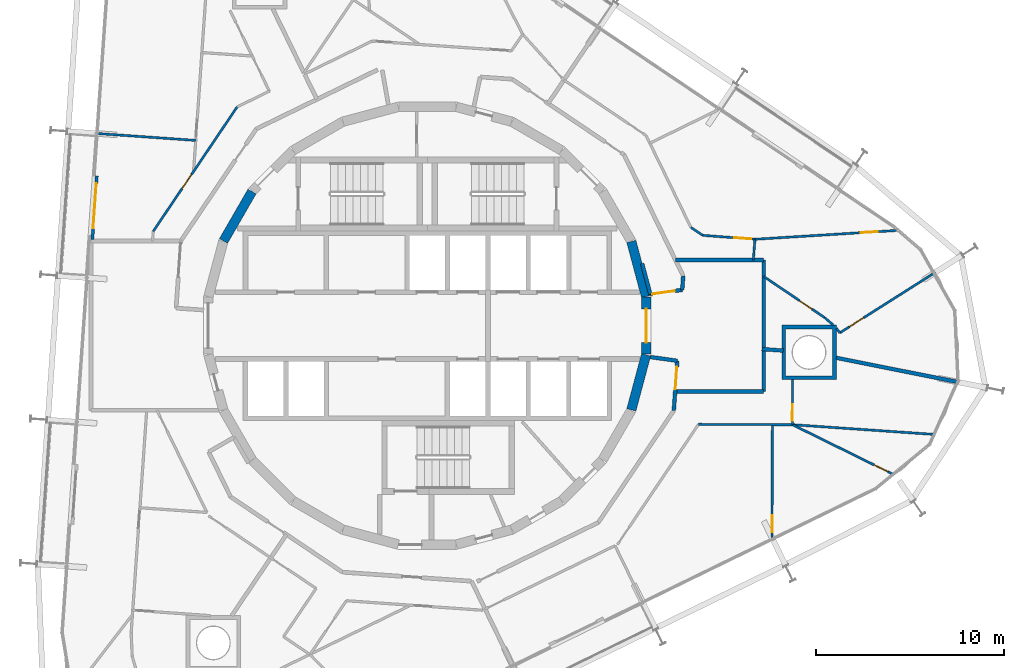
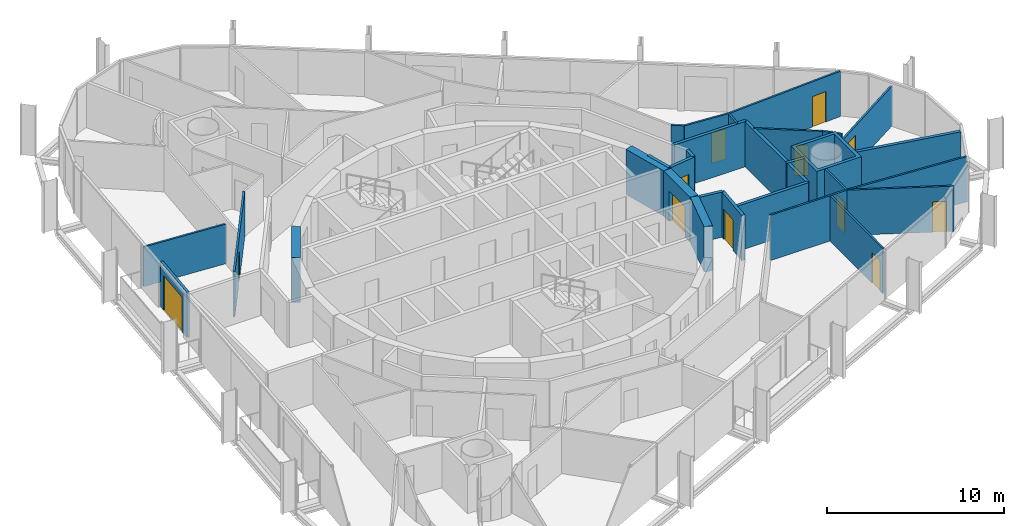
# One storey, part 14 of 17: 31 walls, 12 doors, 12 openings.
"""IFC4 building model written with IfcOpenShell, lengths in metres."""

from ifc_helpers import new_model, si_unit, direction, frame, frame_2d, origin, place, context, subcontext, project, spatial, polyline, rectangle, outline, extrude, material, layer, layer_set, type_object, element, fill, save


model = new_model("IFC4")

# Units and contexts
model_context = context("Model", 3, precision=1e-05, world=origin(), true_north=direction((0.0, 1.0)))
body_context = subcontext(model_context, "Body", "Model", "MODEL_VIEW")
ifc_project = project(units=[si_unit("LENGTHUNIT", "METRE"), si_unit("AREAUNIT", "SQUARE_METRE"), si_unit("VOLUMEUNIT", "CUBIC_METRE"), si_unit("PLANEANGLEUNIT", "RADIAN"), si_unit("MASSUNIT", "GRAM", prefix="KILO")], contexts=[model_context])

# Site, building, storey
site_placement = place(None, origin())
site = spatial("IfcSite", under=ifc_project, at=site_placement, CompositionType="ELEMENT")
building_placement = place(site_placement, origin())
building = spatial("IfcBuilding", under=site, at=building_placement, Name="Spindle Arch Residences", CompositionType="ELEMENT")
storey_placement = place(building_placement, frame((0.0, 0.0, 212.89990234375)))
storey = spatial("IfcBuildingStorey", under=building, at=storey_placement, Name="L54", CompositionType="ELEMENT", Elevation=212.89990234375)

# Wall
ifc_material_1 = material(Name="Concrete C50/60", Category="concrete")
ifc_layer_1 = layer(ifc_material_1, 0.5)
ifc_layer_set_1 = layer_set([ifc_layer_1], Name="Core outline wall 500")
wall_type_1 = type_object("IfcWallType", Name="Core outline wall 500", PredefinedType="SHEAR", material=ifc_layer_set_1)
wall_1_placement = place(storey_placement, frame((10.858154296875, -4.479248046875, 0.0), z_axis=(0.0, 0.0, 1.0), x_axis=(0.258734743916, 0.965948410781, 0.0)))
element("IfcWall", 1, at=wall_1_placement, inside=storey, type_object=wall_type_1, Name="Core outline wall 5", PredefinedType="SHEAR", context=body_context, shape_type="SweptSolid", body=[
    extrude(rectangle(XDim=3.03271484375, YDim=0.5, at=frame_2d((1.516357421875, 0.0))), origin(), (0.0, 0.0, 1.0), 3.1201171875),
])

# Wall, opening, door
wall_2_placement = place(storey_placement, frame((11.647216796875, -1.516357421875, 0.0), z_axis=(0.0, 0.0, 1.0), x_axis=(0.0, 1.0, 0.0)))
wall_2 = element("IfcWall", 2, at=wall_2_placement, inside=storey, type_object=wall_type_1, Name="Core outline wall 6", PredefinedType="SHEAR", context=body_context, shape_type="SweptSolid", body=[
    extrude(rectangle(XDim=3.03271484375, YDim=0.5, at=frame_2d((1.516357421875, 0.0))), origin(), (0.0, 0.0, 1.0), 3.1201171875),
])
opening_1_placement = place(wall_2_placement, frame((0.6162109375, 0.0, 0.0)))
opening_1 = element("IfcOpeningElement", 3, at=opening_1_placement, cuts=wall_2, Name="Opening R5C1-FE01", PredefinedType="OPENING", context=body_context, shape_type="SweptSolid", body=[
    extrude(rectangle(XDim=1.800048828125, YDim=2.10009765625, at=frame_2d((0.89990234375, 1.050048828125))), frame((0.0, 0.260009765625, 0.0), z_axis=(0.0, -1.0, 0.0), x_axis=(1.0, 0.0, 0.0)), (0.0, 0.0, 1.0), 0.52001953125),
])
ifc_material_2 = material(Name="Steel, fire-resisting door", Category="steel")
door_type_1 = type_object("IfcDoorType", Name="Fire-lift lobby door 1800x2100", OperationType="DOUBLE_DOOR_SINGLE_SWING", PredefinedType="DOOR", material=ifc_material_2)
door_1_placement = place(opening_1_placement, origin())
door_1 = element("IfcDoor", 4, at=door_1_placement, inside=storey, type_object=door_type_1, Name="Fire-lift lobby door R5C1-FE01", OperationType="DOUBLE_DOOR_SINGLE_SWING", OverallHeight=2.10009765625, OverallWidth=1.800048828125, PredefinedType="DOOR", context=body_context, shape_type="SweptSolid", body=[
    extrude(rectangle(XDim=1.800048828125, YDim=2.10009765625, at=frame_2d((0.89990234375, 1.050048828125))), frame((0.0, 0.02490234375, 0.0), z_axis=(0.0, -1.0, 0.0), x_axis=(1.0, 0.0, 0.0)), (0.0, 0.0, 1.0), 0.050048828125),
])
fill(opening_1, door_1)

# Walls
for number, where, z_axis, x_axis, name in (
    (5, (11.642822265625, 1.5498046875, 0.0), (0.0, 0.0, 1.0), (-0.258734743916, 0.965948410781, 0.0), "Core outline wall 7"),
    (6, (-9.32861328125, 7.13671875, 0.0), (0.0, 0.0, 1.0), (-0.500087131594, -0.865975092491, 0.0), "Core outline wall 16"),
):
    element("IfcWall", number, at=place(storey_placement, frame(where, z_axis=z_axis, x_axis=x_axis)), inside=storey, type_object=wall_type_1, Name=name, PredefinedType="SHEAR", context=body_context, shape_type="SweptSolid", body=[
        extrude(rectangle(XDim=3.03271484375, YDim=0.5, at=frame_2d((1.516357421875, 0.0))), origin(), (0.0, 0.0, 1.0), 3.1201171875),
    ])
ifc_material_3 = material(Name="Calcium silicate block, plastered")
ifc_layer_2 = layer(ifc_material_3, 0.199951171875)
ifc_layer_set_2 = layer_set([ifc_layer_2], Name="Fire-lift lobby bay wall 200")
wall_type_2 = type_object("IfcWallType", Name="Fire-lift lobby bay wall 200", PredefinedType="STANDARD", material=ifc_layer_set_2)
wall_3_placement = place(storey_placement, frame((11.8701171875, 1.668212890625, 0.0), z_axis=(0.0, 0.0, 1.0), x_axis=(-0.258836880648, 0.965921047093, 0.0)))
element("IfcWall", 7, at=wall_3_placement, inside=storey, type_object=wall_type_2, Name="Fire-lift lobby bay wall R5C1-W001", PredefinedType="STANDARD", context=body_context, shape_type="SweptSolid", body=[
    extrude(rectangle(XDim=1.695068359375, YDim=0.199951171875, at=frame_2d((0.84765625, 0.0))), origin(), (0.0, 0.0, 1.0), 3.1201171875),
])

# Wall, opening, door
wall_4_placement = place(storey_placement, frame((11.8701171875, 1.668212890625, 0.0), z_axis=(0.0, 0.0, 1.0), x_axis=(0.990271931984, 0.139145609792, 0.0)))
wall_4 = element("IfcWall", 8, at=wall_4_placement, inside=storey, type_object=wall_type_2, Name="Fire-lift lobby bay wall R5C1-W002", PredefinedType="STANDARD", context=body_context, shape_type="SweptSolid", body=[
    extrude(rectangle(XDim=1.71240234375, YDim=0.199951171875, at=frame_2d((0.856201171875, 0.0))), origin(), (0.0, 0.0, 1.0), 3.1201171875),
])
opening_2_placement = place(wall_4_placement, frame((0.110107421875, 0.0, 0.0)))
opening_2 = element("IfcOpeningElement", 9, at=opening_2_placement, cuts=wall_4, Name="Opening R5C1-CD01", PredefinedType="OPENING", context=body_context, shape_type="SweptSolid", body=[
    extrude(rectangle(XDim=1.199951171875, YDim=2.10009765625, at=frame_2d((0.60009765625, 1.050048828125))), frame((0.0, 0.10986328125, 0.0), z_axis=(0.0, -1.0, 0.0), x_axis=(1.0, 0.0, 0.0)), (0.0, 0.0, 1.0), 0.219970703125),
])
ifc_material_4 = material(Name="Steel, fire-resisting door", Category="steel")
door_type_2 = type_object("IfcDoorType", Name="Corridor division door 1200x2100", OperationType="NOTDEFINED", PredefinedType="DOOR", material=ifc_material_4)
door_2_placement = place(opening_2_placement, origin())
door_2 = element("IfcDoor", 10, at=door_2_placement, inside=storey, type_object=door_type_2, Name="Corridor division door R5C1-CD01", OperationType="DOUBLE_DOOR_SINGLE_SWING", OverallHeight=2.10009765625, OverallWidth=1.199951171875, PredefinedType="DOOR", context=body_context, shape_type="SweptSolid", body=[
    extrude(rectangle(XDim=1.199951171875, YDim=2.10009765625, at=frame_2d((0.60009765625, 1.050048828125))), frame((0.0, 0.02490234375, 0.0), z_axis=(0.0, -1.0, 0.0), x_axis=(1.0, 0.0, 0.0)), (0.0, 0.0, 1.0), 0.050048828125),
])
fill(opening_2, door_2)

# Wall
wall_5_placement = place(storey_placement, frame((13.56591796875, 1.906494140625, 0.0), z_axis=(0.0, 0.0, 1.0), x_axis=(0.07005495793, 0.997543133338, 0.0)))
element("IfcWall", 11, at=wall_5_placement, inside=storey, type_object=wall_type_2, Name="Fire-lift lobby bay wall R5C1-W003", PredefinedType="STANDARD", context=body_context, shape_type="SweptSolid", body=[
    extrude(rectangle(XDim=0.7421875, YDim=0.199951171875, at=frame_2d((0.37109375, 0.0))), origin(), (0.0, 0.0, 1.0), 3.1201171875),
])

# Wall, opening, door
wall_6_placement = place(storey_placement, frame((13.116943359375, -4.5166015625, 0.0), z_axis=(0.0, 0.0, 1.0), x_axis=(0.069736659613, 0.997565435601, 0.0)))
wall_6 = element("IfcWall", 12, at=wall_6_placement, inside=storey, type_object=wall_type_2, Name="Fire-lift lobby bay wall R5C1-W013", PredefinedType="STANDARD", context=body_context, shape_type="SweptSolid", body=[
    extrude(rectangle(XDim=2.653564453125, YDim=0.199951171875, at=frame_2d((1.32666015625, 0.0))), origin(), (0.0, 0.0, 1.0), 3.1201171875),
])
opening_3_placement = place(wall_6_placement, frame((1.134033203125, 0.0, 0.0)))
opening_3 = element("IfcOpeningElement", 13, at=opening_3_placement, cuts=wall_6, Name="Opening R5C1-CD02", PredefinedType="OPENING", context=body_context, shape_type="SweptSolid", body=[
    extrude(rectangle(XDim=1.199951171875, YDim=2.10009765625, at=frame_2d((0.60009765625, 1.050048828125))), frame((0.0, 0.10986328125, 0.0), z_axis=(0.0, -1.0, 0.0), x_axis=(1.0, 0.0, 0.0)), (0.0, 0.0, 1.0), 0.219970703125),
])
door_3_placement = place(opening_3_placement, origin())
door_3 = element("IfcDoor", 14, at=door_3_placement, inside=storey, type_object=door_type_2, Name="Corridor division door R5C1-CD02", OperationType="DOUBLE_DOOR_SINGLE_SWING", OverallHeight=2.10009765625, OverallWidth=1.199951171875, PredefinedType="DOOR", context=body_context, shape_type="SweptSolid", body=[
    extrude(rectangle(XDim=1.199951171875, YDim=2.10009765625, at=frame_2d((0.60009765625, 1.050048828125))), frame((0.0, 0.02490234375, 0.0), z_axis=(0.0, -1.0, 0.0), x_axis=(1.0, 0.0, 0.0)), (0.0, 0.0, 1.0), 0.050048828125),
])
fill(opening_3, door_3)

# Walls
wall_7_placement = place(storey_placement, frame((13.302001953125, -1.869384765625, 0.0), z_axis=(0.0, 0.0, 1.0), x_axis=(-0.990274397042, 0.13912806533, 0.0)))
element("IfcWall", 15, at=wall_7_placement, inside=storey, type_object=wall_type_2, Name="Fire-lift lobby bay wall R5C1-W014", PredefinedType="STANDARD", context=body_context, shape_type="SweptSolid", body=[
    extrude(rectangle(XDim=1.446044921875, YDim=0.199951171875, at=frame_2d((0.72314453125, 0.0))), origin(), (0.0, 0.0, 1.0), 3.1201171875),
])
wall_8_placement = place(storey_placement, frame((17.89990234375, 3.5, 0.0), z_axis=(0.0, 0.0, 1.0), x_axis=(-1.0, 0.0, 0.0)))
element("IfcWall", 16, at=wall_8_placement, inside=storey, type_object=wall_type_2, Name="Fire-lift lobby bay wall R5C1-W025", PredefinedType="STANDARD", context=body_context, shape_type="SweptSolid", body=[
    extrude(rectangle(XDim=4.697998046875, YDim=0.199951171875, at=frame_2d((2.34912109375, 0.0))), origin(), (0.0, 0.0, 1.0), 3.1201171875),
])
wall_9_placement = place(storey_placement, frame((17.89990234375, -3.5, 0.0), z_axis=(0.0, 0.0, 1.0), x_axis=(0.0, 1.0, 0.0)))
element("IfcWall", 17, at=wall_9_placement, inside=storey, type_object=wall_type_2, Name="Fire-lift lobby bay wall R5C1-W026", PredefinedType="STANDARD", context=body_context, shape_type="SweptSolid", body=[
    extrude(rectangle(XDim=7.0, YDim=0.199951171875, at=frame_2d((3.5, 0.0))), origin(), (0.0, 0.0, 1.0), 3.1201171875),
])
wall_10_placement = place(storey_placement, frame((13.18798828125, -3.5, 0.0), z_axis=(0.0, 0.0, 1.0), x_axis=(1.0, 0.0, 0.0)))
element("IfcWall", 18, at=wall_10_placement, inside=storey, type_object=wall_type_2, Name="Fire-lift lobby bay wall R5C1-W027", PredefinedType="STANDARD", context=body_context, shape_type="SweptSolid", body=[
    extrude(rectangle(XDim=4.7119140625, YDim=0.199951171875, at=frame_2d((2.35595703125, 0.0))), origin(), (0.0, 0.0, 1.0), 3.1201171875),
])
ifc_material_5 = material(Name="Plasterboard on steel studs", Category="steel")
ifc_layer_3 = layer(ifc_material_5, 0.1201171875)
ifc_layer_set_3 = layer_set([ifc_layer_3], Name="Flat partition 120")
wall_type_3 = type_object("IfcWallType", Name="Flat partition 120", PredefinedType="PARTITIONING", material=ifc_layer_set_3)
wall_11_placement = place(storey_placement, frame((17.3505859375, 3.5, 0.0), z_axis=(0.0, 0.0, 1.0), x_axis=(0.075374124137, 0.997155324616, 0.0)))
element("IfcWall", 19, at=wall_11_placement, inside=storey, type_object=wall_type_3, Name="Flat partition R5C1-W038", PredefinedType="PARTITIONING", context=body_context, shape_type="SweptSolid", body=[
    extrude(rectangle(XDim=1.101318359375, YDim=0.1201171875, at=frame_2d((0.55078125, 0.0))), origin(), (0.0, 0.0, 1.0), 3.1201171875),
])

# Wall, opening, door
wall_12_placement = place(storey_placement, frame((17.43359375, 4.59814453125, 0.0), z_axis=(0.0, 0.0, 1.0), x_axis=(-0.997152077354, 0.075417071205, 0.0)))
wall_12 = element("IfcWall", 20, at=wall_12_placement, inside=storey, type_object=wall_type_3, Name="Flat partition R5C1-W039", PredefinedType="PARTITIONING", context=body_context, shape_type="SweptSolid", body=[
    extrude(rectangle(XDim=2.787353515625, YDim=0.1201171875, at=frame_2d((1.3935546875, 0.0))), origin(), (0.0, 0.0, 1.0), 3.1201171875),
])
opening_4_placement = place(wall_12_placement, frame((0.199951171875, 0.0, 0.0)))
opening_4 = element("IfcOpeningElement", 21, at=opening_4_placement, cuts=wall_12, Name="Opening R5C1-ID01", PredefinedType="OPENING", context=body_context, shape_type="SweptSolid", body=[
    extrude(rectangle(XDim=0.89990234375, YDim=2.10009765625, at=frame_2d((0.449951171875, 1.050048828125))), frame((0.0, 0.070068359375, 0.0), z_axis=(0.0, -1.0, 0.0), x_axis=(1.0, 0.0, 0.0)), (0.0, 0.0, 1.0), 0.14013671875),
])
ifc_material_6 = material(Name="Timber door set", Category="wood")
door_type_3 = type_object("IfcDoorType", Name="Room door 900x2100", OperationType="NOTDEFINED", PredefinedType="DOOR", material=ifc_material_6)
door_4_placement = place(opening_4_placement, origin())
door_4 = element("IfcDoor", 22, at=door_4_placement, inside=storey, type_object=door_type_3, Name="Room door R5C1-ID01", OperationType="SINGLE_SWING_LEFT", OverallHeight=2.10009765625, OverallWidth=0.89990234375, PredefinedType="DOOR", context=body_context, shape_type="SweptSolid", body=[
    extrude(rectangle(XDim=0.89990234375, YDim=2.10009765625, at=frame_2d((0.449951171875, 1.050048828125))), frame((0.0, 0.02490234375, 0.0), z_axis=(0.0, -1.0, 0.0), x_axis=(1.0, 0.0, 0.0)), (0.0, 0.0, 1.0), 0.050048828125),
])
fill(opening_4, door_4)

# Walls
wall_13_placement = place(storey_placement, frame((14.654296875, 4.808349609375, 0.0), z_axis=(0.0, 0.0, 1.0), x_axis=(-0.829065184024, 0.559151965604, 0.0)))
element("IfcWall", 23, at=wall_13_placement, inside=storey, type_object=wall_type_3, Name="Flat partition R5C1-W040", PredefinedType="PARTITIONING", context=body_context, shape_type="SweptSolid", body=[
    extrude(rectangle(XDim=0.758056640625, YDim=0.1201171875, at=frame_2d((0.37890625, 0.0))), origin(), (0.0, 0.0, 1.0), 3.1201171875),
])
wall_14_placement = place(storey_placement, frame((21.610107421875, 0.02978515625, 0.0), z_axis=(0.0, 0.0, 1.0), x_axis=(-0.758532196215, 0.651635563259, 0.0)))
element("IfcWall", 24, at=wall_14_placement, inside=storey, type_object=wall_type_3, Name="Flat partition R5C1-W043", PredefinedType="PARTITIONING", context=body_context, shape_type="SweptSolid", body=[
    extrude(rectangle(XDim=0.618896484375, YDim=0.1201171875, at=frame_2d((0.3095703125, 0.0))), origin(), (0.0, 0.0, 1.0), 3.1201171875),
])

# Wall, opening, door
wall_15_placement = place(storey_placement, frame((21.140625, 0.43310546875, 0.0), z_axis=(0.0, 0.0, 1.0), x_axis=(-0.829049908454, 0.559174614313, 0.0)))
wall_15 = element("IfcWall", 25, at=wall_15_placement, inside=storey, type_object=wall_type_3, Name="Flat partition R5C1-W044", PredefinedType="PARTITIONING", context=body_context, shape_type="SweptSolid", body=[
    extrude(rectangle(XDim=3.908935546875, YDim=0.1201171875, at=frame_2d((1.95458984375, 0.0))), origin(), (0.0, 0.0, 1.0), 3.1201171875),
])
opening_5_placement = place(wall_15_placement, frame((0.800048828125, 0.0, 0.0)))
opening_5 = element("IfcOpeningElement", 26, at=opening_5_placement, cuts=wall_15, Name="Opening R5C1-BD01", PredefinedType="OPENING", context=body_context, shape_type="SweptSolid", body=[
    extrude(rectangle(XDim=0.800048828125, YDim=2.10009765625, at=frame_2d((0.39990234375, 1.050048828125))), frame((0.0, 0.070068359375, 0.0), z_axis=(0.0, -1.0, 0.0), x_axis=(1.0, 0.0, 0.0)), (0.0, 0.0, 1.0), 0.14013671875),
])
ifc_material_7 = material(Name="Timber door set", Category="wood")
door_type_4 = type_object("IfcDoorType", Name="Bathroom door 800x2100", OperationType="NOTDEFINED", PredefinedType="DOOR", material=ifc_material_7)
door_5_placement = place(opening_5_placement, origin())
door_5 = element("IfcDoor", 27, at=door_5_placement, inside=storey, type_object=door_type_4, Name="Bathroom door R5C1-BD01", OperationType="SINGLE_SWING_RIGHT", OverallHeight=2.10009765625, OverallWidth=0.800048828125, PredefinedType="DOOR", context=body_context, shape_type="SweptSolid", body=[
    extrude(rectangle(XDim=0.800048828125, YDim=2.10009765625, at=frame_2d((0.39990234375, 1.050048828125))), frame((0.0, 0.02490234375, 0.0), z_axis=(0.0, -1.0, 0.0), x_axis=(1.0, 0.0, 0.0)), (0.0, 0.0, 1.0), 0.050048828125),
])
fill(opening_5, door_5)

wall_16_placement = place(storey_placement, frame((24.9560546875, 5.0654296875, 0.0), z_axis=(0.0, 0.0, 1.0), x_axis=(-0.998076202118, -0.061999151332, 0.0)))
wall_16 = element("IfcWall", 28, at=wall_16_placement, inside=storey, type_object=wall_type_3, Name="Flat partition R5C1-W045", PredefinedType="PARTITIONING", context=body_context, shape_type="SweptSolid", body=[
    extrude(rectangle(XDim=7.536865234375, YDim=0.1201171875, at=frame_2d((3.7685546875, 0.0))), origin(), (0.0, 0.0, 1.0), 3.1201171875),
])
opening_6_placement = place(wall_16_placement, frame((1.0, 0.0, 0.0)))
opening_6 = element("IfcOpeningElement", 29, at=opening_6_placement, cuts=wall_16, Name="Opening R5C1-ID03", PredefinedType="OPENING", context=body_context, shape_type="SweptSolid", body=[
    extrude(rectangle(XDim=0.89990234375, YDim=2.10009765625, at=frame_2d((0.449951171875, 1.050048828125))), frame((0.0, 0.070068359375, 0.0), z_axis=(0.0, -1.0, 0.0), x_axis=(1.0, 0.0, 0.0)), (0.0, 0.0, 1.0), 0.14013671875),
])
door_6_placement = place(opening_6_placement, origin())
door_6 = element("IfcDoor", 30, at=door_6_placement, inside=storey, type_object=door_type_3, Name="Room door R5C1-ID03", OperationType="SINGLE_SWING_LEFT", OverallHeight=2.10009765625, OverallWidth=0.89990234375, PredefinedType="DOOR", context=body_context, shape_type="SweptSolid", body=[
    extrude(rectangle(XDim=0.89990234375, YDim=2.10009765625, at=frame_2d((0.449951171875, 1.050048828125))), frame((0.0, 0.02490234375, 0.0), z_axis=(0.0, -1.0, 0.0), x_axis=(1.0, 0.0, 0.0)), (0.0, 0.0, 1.0), 0.050048828125),
])
fill(opening_6, door_6)

# Wall
wall_17_placement = place(storey_placement, frame((21.77197265625, -0.13623046875, 0.0), z_axis=(0.0, 0.0, 1.0), x_axis=(0.587310294779, -0.809361858285, 0.0)))
element("IfcWall", 31, at=wall_17_placement, inside=storey, type_object=wall_type_3, Name="Flat partition R5C1-W046", PredefinedType="PARTITIONING", context=body_context, shape_type="SweptSolid", body=[
    extrude(rectangle(XDim=0.303466796875, YDim=0.1201171875, at=frame_2d((0.15185546875, 0.0))), origin(), (0.0, 0.0, 1.0), 3.1201171875),
])

# Wall, opening, door
wall_18_placement = place(storey_placement, frame((-10.1201171875, 11.641845703125, 0.0), z_axis=(0.0, 0.0, 1.0), x_axis=(-0.55920080659, -0.829032241779, 0.0)))
wall_18 = element("IfcWall", 32, at=wall_18_placement, inside=storey, type_object=wall_type_3, Name="Flat partition R5C1-W060", PredefinedType="PARTITIONING", context=body_context, shape_type="SweptSolid", body=[
    extrude(rectangle(XDim=7.98486328125, YDim=0.1201171875, at=frame_2d((3.992431640625, 0.0))), origin(), (0.0, 0.0, 1.0), 3.1201171875),
])
opening_7_placement = place(wall_18_placement, frame((4.346435546875, 0.0, 0.0)))
opening_7 = element("IfcOpeningElement", 33, at=opening_7_placement, cuts=wall_18, Name="Opening R5C1-ID11", PredefinedType="OPENING", context=body_context, shape_type="SweptSolid", body=[
    extrude(rectangle(XDim=0.89990234375, YDim=2.10009765625, at=frame_2d((0.449951171875, 1.050048828125))), frame((0.0, 0.070068359375, 0.0), z_axis=(0.0, -1.0, 0.0), x_axis=(1.0, 0.0, 0.0)), (0.0, 0.0, 1.0), 0.14013671875),
])
door_7_placement = place(opening_7_placement, origin())
door_7 = element("IfcDoor", 34, at=door_7_placement, inside=storey, type_object=door_type_3, Name="Room door R5C1-ID11", OperationType="SINGLE_SWING_LEFT", OverallHeight=2.10009765625, OverallWidth=0.89990234375, PredefinedType="DOOR", context=body_context, shape_type="SweptSolid", body=[
    extrude(rectangle(XDim=0.89990234375, YDim=2.10009765625, at=frame_2d((0.449951171875, 1.050048828125))), frame((0.0, 0.02490234375, 0.0), z_axis=(0.0, -1.0, 0.0), x_axis=(1.0, 0.0, 0.0)), (0.0, 0.0, 1.0), 0.050048828125),
])
fill(opening_7, door_7)

# Wall
wall_19_placement = place(storey_placement, frame((14.430908203125, -5.2509765625, 0.0), z_axis=(0.0, 0.0, 1.0), x_axis=(0.999994153659, -0.003419451456, 0.0)))
element("IfcWall", 35, at=wall_19_placement, inside=storey, type_object=wall_type_3, Name="Flat partition R5C1-W095", PredefinedType="PARTITIONING", context=body_context, shape_type="SweptSolid", body=[
    extrude(rectangle(XDim=4.997802734375, YDim=0.1201171875, at=frame_2d((2.4990234375, 0.0))), origin(), (0.0, 0.0, 1.0), 3.1201171875),
])

# Wall, opening, door
wall_20_placement = place(storey_placement, frame((19.4287109375, -5.26806640625, 0.0), z_axis=(0.0, 0.0, 1.0), x_axis=(0.003360127656, 0.999994354755, 0.0)))
wall_20 = element("IfcWall", 36, at=wall_20_placement, inside=storey, type_object=wall_type_3, Name="Flat partition R5C1-W096", PredefinedType="PARTITIONING", context=body_context, shape_type="SweptSolid", body=[
    extrude(rectangle(XDim=2.397705078125, YDim=0.1201171875, at=frame_2d((1.19873046875, 0.0))), origin(), (0.0, 0.0, 1.0), 3.1201171875),
])
opening_8_placement = place(wall_20_placement, frame((0.199951171875, 0.0, 0.0)))
opening_8 = element("IfcOpeningElement", 37, at=opening_8_placement, cuts=wall_20, Name="Opening R5C1-ID24", PredefinedType="OPENING", context=body_context, shape_type="SweptSolid", body=[
    extrude(rectangle(XDim=0.89990234375, YDim=2.10009765625, at=frame_2d((0.449951171875, 1.050048828125))), frame((0.0, 0.070068359375, 0.0), z_axis=(0.0, -1.0, 0.0), x_axis=(1.0, 0.0, 0.0)), (0.0, 0.0, 1.0), 0.14013671875),
])
door_8_placement = place(opening_8_placement, origin())
door_8 = element("IfcDoor", 38, at=door_8_placement, inside=storey, type_object=door_type_3, Name="Room door R5C1-ID24", OperationType="SINGLE_SWING_RIGHT", OverallHeight=2.10009765625, OverallWidth=0.89990234375, PredefinedType="DOOR", context=body_context, shape_type="SweptSolid", body=[
    extrude(rectangle(XDim=0.89990234375, YDim=2.10009765625, at=frame_2d((0.449951171875, 1.050048828125))), frame((0.0, 0.02490234375, 0.0), z_axis=(0.0, -1.0, 0.0), x_axis=(1.0, 0.0, 0.0)), (0.0, 0.0, 1.0), 0.050048828125),
])
fill(opening_8, door_8)

wall_21_placement = place(storey_placement, frame((18.342529296875, -11.28173828125, 0.0), z_axis=(0.0, 0.0, 1.0), x_axis=(0.003448675073, 0.999994053302, 0.0)))
wall_21 = element("IfcWall", 39, at=wall_21_placement, inside=storey, type_object=wall_type_3, Name="Flat partition R5C1-W098", PredefinedType="PARTITIONING", context=body_context, shape_type="SweptSolid", body=[
    extrude(rectangle(XDim=6.017333984375, YDim=0.1201171875, at=frame_2d((3.0087890625, 0.0))), origin(), (0.0, 0.0, 1.0), 3.1201171875),
])
opening_9_placement = place(wall_21_placement, frame((0.300048828125, 0.0, 0.0)))
opening_9 = element("IfcOpeningElement", 40, at=opening_9_placement, cuts=wall_21, Name="Opening R5C1-ID25", PredefinedType="OPENING", context=body_context, shape_type="SweptSolid", body=[
    extrude(rectangle(XDim=0.89990234375, YDim=2.10009765625, at=frame_2d((0.449951171875, 1.050048828125))), frame((0.0, 0.070068359375, 0.0), z_axis=(0.0, -1.0, 0.0), x_axis=(1.0, 0.0, 0.0)), (0.0, 0.0, 1.0), 0.14013671875),
])
door_9_placement = place(opening_9_placement, origin())
door_9 = element("IfcDoor", 41, at=door_9_placement, inside=storey, type_object=door_type_3, Name="Room door R5C1-ID25", OperationType="SINGLE_SWING_RIGHT", OverallHeight=2.10009765625, OverallWidth=0.89990234375, PredefinedType="DOOR", context=body_context, shape_type="SweptSolid", body=[
    extrude(rectangle(XDim=0.89990234375, YDim=2.10009765625, at=frame_2d((0.449951171875, 1.050048828125))), frame((0.0, 0.02490234375, 0.0), z_axis=(0.0, -1.0, 0.0), x_axis=(1.0, 0.0, 0.0)), (0.0, 0.0, 1.0), 0.050048828125),
])
fill(opening_9, door_9)

wall_22_placement = place(storey_placement, frame((24.860595703125, -7.94287109375, 0.0), z_axis=(0.0, 0.0, 1.0), x_axis=(-0.897128390861, 0.441769906525, 0.0)))
wall_22 = element("IfcWall", 42, at=wall_22_placement, inside=storey, type_object=wall_type_3, Name="Flat partition R5C1-W099", PredefinedType="PARTITIONING", context=body_context, shape_type="SweptSolid", body=[
    extrude(rectangle(XDim=6.0546875, YDim=0.1201171875, at=frame_2d((3.02734375, 0.0))), origin(), (0.0, 0.0, 1.0), 3.1201171875),
])
opening_10_placement = place(wall_22_placement, frame((0.39990234375, 0.0, 0.0)))
opening_10 = element("IfcOpeningElement", 43, at=opening_10_placement, cuts=wall_22, Name="Opening R5C1-BD06", PredefinedType="OPENING", context=body_context, shape_type="SweptSolid", body=[
    extrude(rectangle(XDim=0.800048828125, YDim=2.10009765625, at=frame_2d((0.39990234375, 1.050048828125))), frame((0.0, 0.070068359375, 0.0), z_axis=(0.0, -1.0, 0.0), x_axis=(1.0, 0.0, 0.0)), (0.0, 0.0, 1.0), 0.14013671875),
])
door_10_placement = place(opening_10_placement, origin())
door_10 = element("IfcDoor", 44, at=door_10_placement, inside=storey, type_object=door_type_4, Name="Bathroom door R5C1-BD06", OperationType="SINGLE_SWING_RIGHT", OverallHeight=2.10009765625, OverallWidth=0.800048828125, PredefinedType="DOOR", context=body_context, shape_type="SweptSolid", body=[
    extrude(rectangle(XDim=0.800048828125, YDim=2.10009765625, at=frame_2d((0.39990234375, 1.050048828125))), frame((0.0, 0.02490234375, 0.0), z_axis=(0.0, -1.0, 0.0), x_axis=(1.0, 0.0, 0.0)), (0.0, 0.0, 1.0), 0.050048828125),
])
fill(opening_10, door_10)

# Wall
wall_23_placement = place(storey_placement, frame((26.96142578125, -5.78515625, 0.0), z_axis=(0.0, 0.0, 1.0), x_axis=(-0.997652165985, 0.068484711466, 0.0)))
element("IfcWall", 45, at=wall_23_placement, inside=storey, type_object=wall_type_3, Name="Flat partition R5C1-W100", PredefinedType="PARTITIONING", context=body_context, shape_type="SweptSolid", body=[
    extrude(rectangle(XDim=7.550537109375, YDim=0.1201171875, at=frame_2d((3.775390625, 0.0))), origin(), (0.0, 0.0, 1.0), 3.1201171875),
])

# Wall, opening, door
ifc_material_8 = material(Name="Plasterboard on steel studs", Category="steel")
ifc_layer_4 = layer(ifc_material_8, 0.1201171875)
ifc_layer_set_4 = layer_set([ifc_layer_4], Name="Flat partition 120 under beam 2730")
wall_type_4 = type_object("IfcWallType", Name="Flat partition 120 under beam 2730", PredefinedType="PARTITIONING", material=ifc_layer_set_4)
wall_24_placement = place(storey_placement, frame((21.9501953125, -0.3818359375, 0.0), z_axis=(0.0, 0.0, 1.0), x_axis=(0.844596663126, 0.535403097336, 0.0)))
wall_24 = element("IfcWall", 46, at=wall_24_placement, inside=storey, type_object=wall_type_4, Name="Flat partition R5C1-W047", PredefinedType="PARTITIONING", context=body_context, shape_type="SweptSolid", body=[
    extrude(rectangle(XDim=6.022216796875, YDim=0.1201171875, at=frame_2d((3.01123046875, 0.0))), origin(), (0.0, 0.0, 1.0), 2.72998046875),
])
opening_11_placement = place(wall_24_placement, frame((0.60009765625, 0.0, 0.0)))
opening_11 = element("IfcOpeningElement", 47, at=opening_11_placement, cuts=wall_24, Name="Opening R5C1-ID04", PredefinedType="OPENING", context=body_context, shape_type="SweptSolid", body=[
    extrude(rectangle(XDim=0.89990234375, YDim=2.10009765625, at=frame_2d((0.449951171875, 1.050048828125))), frame((0.0, 0.070068359375, 0.0), z_axis=(0.0, -1.0, 0.0), x_axis=(1.0, 0.0, 0.0)), (0.0, 0.0, 1.0), 0.14013671875),
])
door_11_placement = place(opening_11_placement, origin())
door_11 = element("IfcDoor", 48, at=door_11_placement, inside=storey, type_object=door_type_3, Name="Room door R5C1-ID04", OperationType="SINGLE_SWING_LEFT", OverallHeight=2.10009765625, OverallWidth=0.89990234375, PredefinedType="DOOR", context=body_context, shape_type="SweptSolid", body=[
    extrude(rectangle(XDim=0.89990234375, YDim=2.10009765625, at=frame_2d((0.449951171875, 1.050048828125))), frame((0.0, 0.02490234375, 0.0), z_axis=(0.0, -1.0, 0.0), x_axis=(1.0, 0.0, 0.0)), (0.0, 0.0, 1.0), 0.050048828125),
])
fill(opening_11, door_11)

# Walls
wall_25_placement = place(storey_placement, frame((-17.51025390625, 10.222412109375, 0.0), z_axis=(0.0, 0.0, 1.0), x_axis=(0.997563184303, -0.069768856397, 0.0)))
element("IfcWall", 49, at=wall_25_placement, inside=storey, type_object=wall_type_4, Name="Flat partition R5C1-W070", PredefinedType="PARTITIONING", context=body_context, shape_type="SweptSolid", body=[
    extrude(rectangle(XDim=5.199951171875, YDim=0.1201171875, at=frame_2d((2.60009765625, 0.0))), origin(), (0.0, 0.0, 1.0), 2.72998046875),
])
ifc_material_9 = material(Name="Calcium silicate block, plastered")
ifc_layer_5 = layer(ifc_material_9, 0.199951171875)
ifc_layer_set_5 = layer_set([ifc_layer_5], Name="Flat party wall 200")
wall_type_5 = type_object("IfcWallType", Name="Flat party wall 200", PredefinedType="STANDARD", material=ifc_layer_set_5)
wall_26_placement = place(storey_placement, frame((17.80029296875, -1.24560546875, 0.0), z_axis=(0.0, 0.0, 1.0), x_axis=(0.997562681713, -0.069776042122, 0.0)))
element("IfcWall", 50, at=wall_26_placement, inside=storey, type_object=wall_type_5, Name="Flat party wall R5C1-W029", PredefinedType="STANDARD", context=body_context, shape_type="SweptSolid", body=[
    extrude(rectangle(XDim=1.14404296875, YDim=0.199951171875, at=frame_2d((0.572021484375, 0.0))), origin(), (0.0, 0.0, 1.0), 3.1201171875),
])
ifc_material_10 = material(Name="Calcium silicate block, plastered")
ifc_layer_6 = layer(ifc_material_10, 0.199951171875)
ifc_layer_set_6 = layer_set([ifc_layer_6], Name="Flat party wall 200 under beam 2730")
wall_type_6 = type_object("IfcWallType", Name="Flat party wall 200 under beam 2730", PredefinedType="STANDARD", material=ifc_layer_set_6)
wall_27_placement = place(storey_placement, frame((21.761962890625, -1.70947265625, 0.0), z_axis=(0.0, 0.0, 1.0), x_axis=(0.980707365343, -0.195481619501, 0.0)))
element("IfcWall", 51, at=wall_27_placement, inside=storey, type_object=wall_type_6, Name="Flat party wall R5C1-W030", PredefinedType="STANDARD", context=body_context, shape_type="SweptSolid", body=[
    extrude(rectangle(XDim=6.511962890625, YDim=0.199951171875, at=frame_2d((3.255859375, 0.0))), origin(), (0.0, 0.0, 1.0), 2.72998046875),
])

# Wall, opening, door
ifc_material_11 = material(Name="Non-combustible mineral wool insulated aluminium faced external wall (K0)", Category="aluminium")
ifc_layer_7 = layer(ifc_material_11, 0.159912109375)
ifc_layer_set_7 = layer_set([ifc_layer_7], Name="Insulated external wall panel 160")
wall_type_7 = type_object("IfcWallType", Name="Insulated external wall panel 160", PredefinedType="STANDARD", material=ifc_layer_set_7)
wall_28_placement = place(storey_placement, frame((-17.587158203125, 7.975341796875, 0.0), z_axis=(0.0, 0.0, 1.0), x_axis=(-0.069813354682, -0.997560071128, 0.0)))
wall_28 = element("IfcWall", 52, at=wall_28_placement, inside=storey, type_object=wall_type_7, Name="External wall L54 bay 14", PredefinedType="STANDARD", context=body_context, shape_type="SweptSolid", body=[
    extrude(rectangle(XDim=3.388671875, YDim=0.159912109375, at=frame_2d((1.6943359375, 0.0))), origin(), (0.0, 0.0, 1.0), 3.1201171875),
])
opening_12_placement = place(wall_28_placement, frame((0.39990234375, 0.0, 0.0)))
opening_12 = element("IfcOpeningElement", 53, at=opening_12_placement, cuts=wall_28, Name="Opening BD14", PredefinedType="OPENING", context=body_context, shape_type="SweptSolid", body=[
    extrude(rectangle(XDim=2.39990234375, YDim=2.39990234375, at=frame_2d((1.199951171875, 1.199951171875))), frame((0.0, 0.08984375, 0.0), z_axis=(0.0, -1.0, 0.0), x_axis=(1.0, 0.0, 0.0)), (0.0, 0.0, 1.0), 0.179931640625),
])
ifc_material_12 = material(Name="Bronze aluminium frame, tinted double glazing", Category="aluminium")
door_type_5 = type_object("IfcDoorType", Name="Sliding glazed balcony door 2400x2400", OperationType="DOUBLE_DOOR_SLIDING", PredefinedType="DOOR", material=ifc_material_12)
door_12_placement = place(opening_12_placement, origin())
door_12 = element("IfcDoor", 54, at=door_12_placement, inside=storey, type_object=door_type_5, Name="Balcony door BD14", OperationType="DOUBLE_DOOR_SLIDING", OverallHeight=2.39990234375, OverallWidth=2.39990234375, PredefinedType="DOOR", context=body_context, shape_type="SweptSolid", body=[
    extrude(rectangle(XDim=2.39990234375, YDim=2.39990234375, at=frame_2d((1.199951171875, 1.199951171875))), frame((0.0, 0.02490234375, 0.0), z_axis=(0.0, -1.0, 0.0), x_axis=(1.0, 0.0, 0.0)), (0.0, 0.0, 1.0), 0.050048828125),
])
fill(opening_12, door_12)

# Wall
ifc_material_13 = material(Name="Calcium silicate block, plastered")
ifc_layer_8 = layer(ifc_material_13, 0.199951171875)
ifc_layer_set_8 = layer_set([ifc_layer_8], Name="Mega-column casing wall 200")
wall_type_8 = type_object("IfcWallType", Name="Mega-column casing wall 200", PredefinedType="STANDARD", material=ifc_layer_set_8)
wall_29_placement = place(storey_placement, origin())
element("IfcWall", 55, at=wall_29_placement, inside=storey, type_object=wall_type_8, Name="Mega-column casing wall R5C1-WC03", PredefinedType="STANDARD", context=body_context, shape_type="SweptSolid", body=[
    extrude(outline(polyline([(21.761962890625, 0.02978515625), (21.761962890625, -2.870361328125), (18.86181640625, -2.870361328125), (18.86181640625, 0.02978515625), (21.761962890625, 0.02978515625)]), holes=[polyline([(19.06201171875, -2.67041015625), (21.56201171875, -2.67041015625), (21.56201171875, -0.17041015625), (19.06201171875, -0.17041015625), (19.06201171875, -2.67041015625)])]), origin(), (0.0, 0.0, 1.0), 3.1201171875),
])

save(model, "model.ifc")
